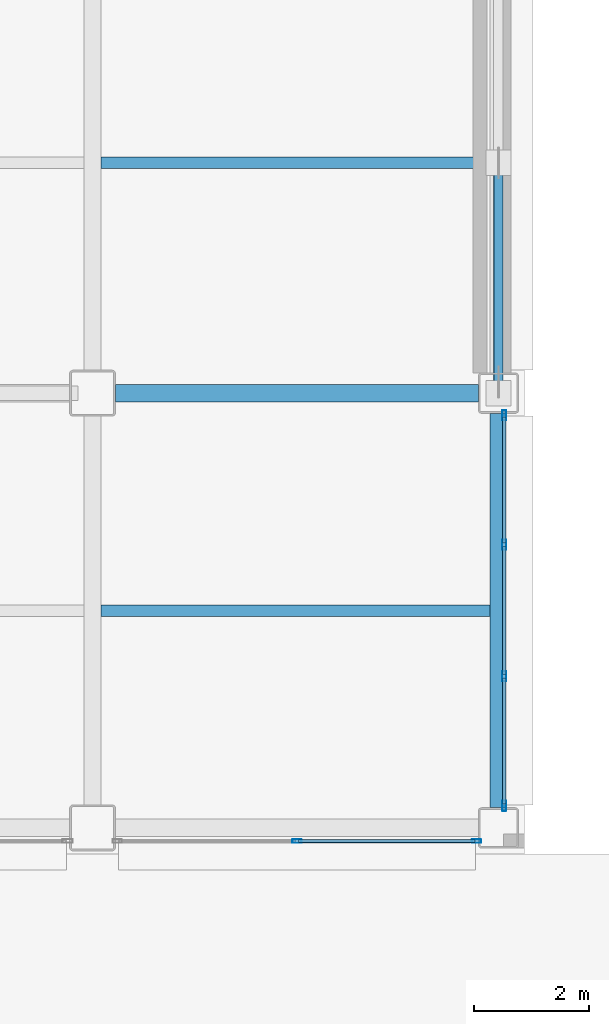
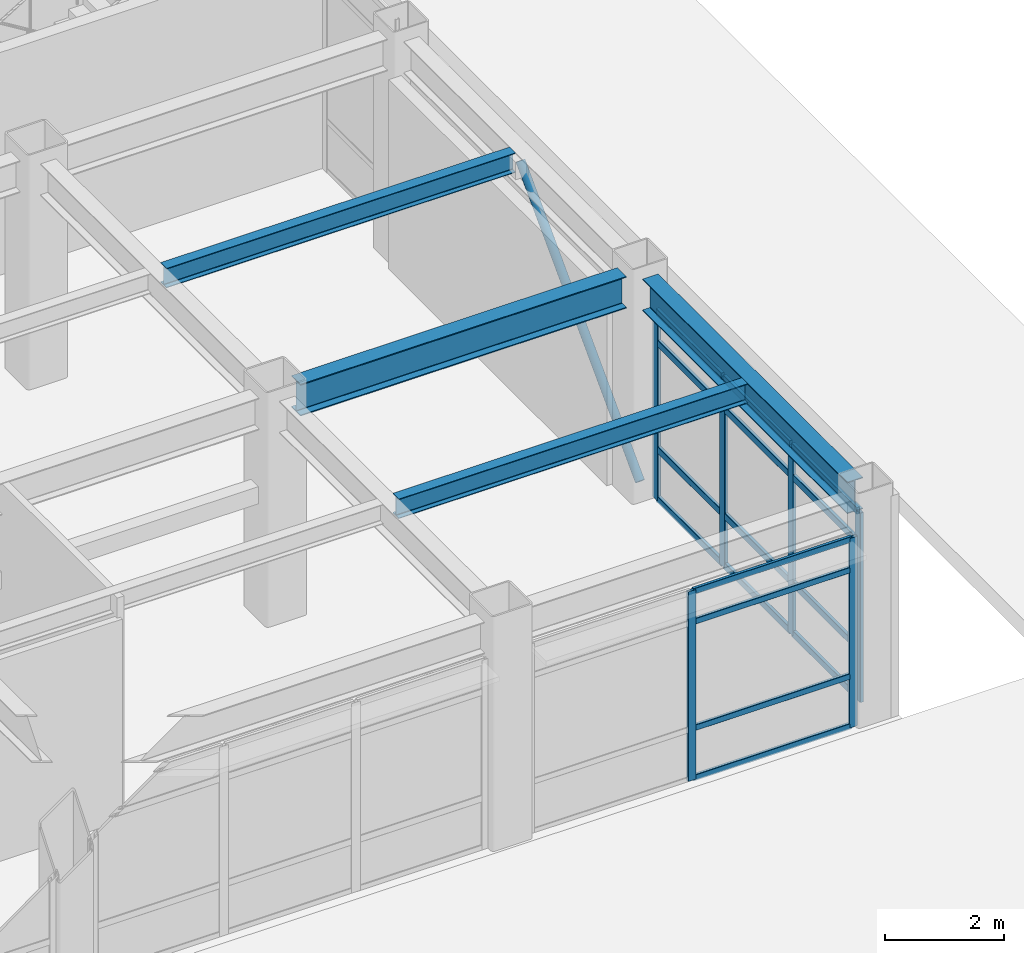
# One storey, part 98 of 172: 23 members, 4 beams, 2 elements without a shape of their own.
"""IFC4 building model written with IfcOpenShell, lengths in metres."""

from ifc_helpers import new_model, si_unit, direction, frame, origin, origin_2d, place, context, subcontext, project, spatial, hollow_rectangle, hollow_circle, i_section, extrude, material, layer, layer_set, material_profile, profile_set, type_object, element, aggregate, save


model = new_model("IFC4")

# Units and contexts
model_context = context("Model", 3, precision=1e-05, world=origin(), true_north=direction((0.0, 1.0)))
body_context = subcontext(model_context, "Body", "Model", "MODEL_VIEW")
ifc_project = project(units=[si_unit("LENGTHUNIT", "METRE"), si_unit("AREAUNIT", "SQUARE_METRE"), si_unit("VOLUMEUNIT", "CUBIC_METRE"), si_unit("PLANEANGLEUNIT", "RADIAN"), si_unit("MASSUNIT", "GRAM", prefix="KILO")], contexts=[model_context])

# Site, building, storey
site_placement = place(None, origin())
site = spatial("IfcSite", under=ifc_project, at=site_placement, CompositionType="ELEMENT")
building_placement = place(site_placement, origin())
building = spatial("IfcBuilding", under=site, at=building_placement, Name="Kazehara Bluff Congress Hotel", CompositionType="ELEMENT")
storey_placement = place(building_placement, frame((0.0, 0.0, 5.39990234375)))
storey = spatial("IfcBuildingStorey", under=building, at=storey_placement, Name="L01", CompositionType="ELEMENT", Elevation=5.39990234375)

# Member
ifc_material_1 = material(Name="Steel STK490", Category="steel")
ifc_material_profile_1 = material_profile(ifc_material_1, hollow_circle(Radius=0.08251953125, WallThickness=0.007080078125, at=origin_2d()))
ifc_profile_set_1 = profile_set([ifc_material_profile_1], Name="Steel STK490")
member_type_1 = type_object("IfcMemberType", Name="TP-BR-02", PredefinedType="BRACE", material=ifc_profile_set_1)
member_1_placement = place(storey_placement, frame((167.550048828125, 8.0, 0.150146484375), z_axis=(0.0, 0.696145836074, 0.717900393451), x_axis=(-1.0, 0.0, 0.0)))
element("IfcMember", 1, at=member_1_placement, inside=storey, type_object=member_type_1, Name="L01 chevron brace BR-02 1", PredefinedType="BRACE", context=body_context, shape_type="SweptSolid", body=[
    extrude(hollow_circle(Radius=0.08251953125, WallThickness=0.007080078125, at=origin_2d()), origin(), (0.0, 0.0, 1.0), 5.745849609375),
])

# Curtain wall, members
ifc_material_2 = material(Name="Anodised aluminium", Category="aluminium")
ifc_layer_1 = layer(ifc_material_2, 0.159912109375)
ifc_layer_set_1 = layer_set([ifc_layer_1], Name="Anodised aluminium")
curtain_wall_type_1 = type_object("IfcCurtainWallType", Name="TP-CW-112", PredefinedType="NOTDEFINED", material=ifc_layer_set_1)
curtain_wall_1_placement = place(storey_placement, origin())
curtain_wall_1 = element("IfcCurtainWall", 2, at=curtain_wall_1_placement, inside=storey, type_object=curtain_wall_type_1, Name="L01 curtain wall CW-112 CW-ENC-V5-L01-16405-22", PredefinedType="NOTDEFINED")
ifc_material_3 = material(Name="Anodised aluminium", Category="aluminium")
ifc_material_profile_2 = material_profile(ifc_material_3, hollow_rectangle(XDim=0.06005859375, YDim=0.159912109375, WallThickness=0.00390625, InnerFilletRadius=0.00390625, OuterFilletRadius=0.008056640625, at=origin_2d()))
ifc_profile_set_2 = profile_set([ifc_material_profile_2], Name="Anodised aluminium")
member_type_2 = type_object("IfcMemberType", Name="TP-CWM-01", PredefinedType="MULLION", material=ifc_profile_set_2)
member_2_placement = place(storey_placement, frame((167.169921875, 0.219970703125, 0.0), z_axis=(0.0, 0.0, 1.0), x_axis=(0.0, -1.0, 0.0)))
member_2 = element("IfcMember", 3, at=member_2_placement, type_object=member_type_2, Name="CW-112 mullion 1", PredefinedType="MULLION", context=body_context, shape_type="SweptSolid", body=[
    extrude(hollow_rectangle(XDim=0.06005859375, YDim=0.159912109375, WallThickness=0.00390625, InnerFilletRadius=0.00390625, OuterFilletRadius=0.008056640625, at=origin_2d()), origin(), (0.0, 0.0, 1.0), 3.875),
])
member_3_placement = place(storey_placement, frame((164.050048828125, 0.219970703125, 0.0), z_axis=(0.0, 0.0, 1.0), x_axis=(0.0, -1.0, 0.0)))
member_3 = element("IfcMember", 4, at=member_3_placement, type_object=member_type_2, Name="CW-112 mullion 2", PredefinedType="MULLION", context=body_context, shape_type="SweptSolid", body=[
    extrude(hollow_rectangle(XDim=0.06005859375, YDim=0.159912109375, WallThickness=0.00390625, InnerFilletRadius=0.00390625, OuterFilletRadius=0.008056640625, at=origin_2d()), origin(), (0.0, 0.0, 1.0), 3.875),
])

ifc_material_4 = material(Name="Anodised aluminium", Category="aluminium")
ifc_layer_2 = layer(ifc_material_4, 0.159912109375)
ifc_layer_set_2 = layer_set([ifc_layer_2], Name="Anodised aluminium")
curtain_wall_type_2 = type_object("IfcCurtainWallType", Name="TP-CW-83", PredefinedType="NOTDEFINED", material=ifc_layer_set_2)
curtain_wall_2_placement = place(storey_placement, origin())
curtain_wall_2 = element("IfcCurtainWall", 5, at=curtain_wall_2_placement, inside=storey, type_object=curtain_wall_type_2, Name="L01 curtain wall CW-83 CW-ENC-V5-L01-16765-423", PredefinedType="NOTDEFINED")
ifc_material_5 = material(Name="Anodised aluminium", Category="aluminium")
ifc_material_profile_3 = material_profile(ifc_material_5, hollow_rectangle(XDim=0.06494140625, YDim=0.179931640625, WallThickness=0.00390625, InnerFilletRadius=0.00390625, OuterFilletRadius=0.008056640625, at=origin_2d()))
ifc_profile_set_3 = profile_set([ifc_material_profile_3], Name="Anodised aluminium")
member_type_3 = type_object("IfcMemberType", Name="TP-CWM-02", PredefinedType="MULLION", material=ifc_profile_set_3)
member_4_placement = place(storey_placement, frame((167.64990234375, 7.617431640625, 0.0), z_axis=(0.0, 0.0, 1.0), x_axis=(1.0, 0.0, 0.0)))
member_4 = element("IfcMember", 6, at=member_4_placement, type_object=member_type_3, Name="CW-83 mullion 1", PredefinedType="MULLION", context=body_context, shape_type="SweptSolid", body=[
    extrude(hollow_rectangle(XDim=0.06494140625, YDim=0.179931640625, WallThickness=0.00390625, InnerFilletRadius=0.00390625, OuterFilletRadius=0.008056640625, at=origin_2d()), origin(), (0.0, 0.0, 1.0), 3.875),
])
member_5_placement = place(storey_placement, frame((167.64990234375, 5.36669921875, 0.0), z_axis=(0.0, 0.0, 1.0), x_axis=(1.0, 0.0, 0.0)))
member_5 = element("IfcMember", 7, at=member_5_placement, type_object=member_type_3, Name="CW-83 mullion 2", PredefinedType="MULLION", context=body_context, shape_type="SweptSolid", body=[
    extrude(hollow_rectangle(XDim=0.06494140625, YDim=0.179931640625, WallThickness=0.00390625, InnerFilletRadius=0.00390625, OuterFilletRadius=0.008056640625, at=origin_2d()), origin(), (0.0, 0.0, 1.0), 3.875),
])
member_6_placement = place(storey_placement, frame((167.64990234375, 3.083251953125, 0.0), z_axis=(0.0, 0.0, 1.0), x_axis=(1.0, 0.0, 0.0)))
member_6 = element("IfcMember", 8, at=member_6_placement, type_object=member_type_3, Name="CW-83 mullion 3", PredefinedType="MULLION", context=body_context, shape_type="SweptSolid", body=[
    extrude(hollow_rectangle(XDim=0.06494140625, YDim=0.179931640625, WallThickness=0.00390625, InnerFilletRadius=0.00390625, OuterFilletRadius=0.008056640625, at=origin_2d()), origin(), (0.0, 0.0, 1.0), 3.875),
])
member_7_placement = place(storey_placement, frame((167.64990234375, 0.83251953125, 0.0), z_axis=(0.0, 0.0, 1.0), x_axis=(1.0, 0.0, 0.0)))
member_7 = element("IfcMember", 9, at=member_7_placement, type_object=member_type_3, Name="CW-83 mullion 4", PredefinedType="MULLION", context=body_context, shape_type="SweptSolid", body=[
    extrude(hollow_rectangle(XDim=0.06494140625, YDim=0.179931640625, WallThickness=0.00390625, InnerFilletRadius=0.00390625, OuterFilletRadius=0.008056640625, at=origin_2d()), origin(), (0.0, 0.0, 1.0), 3.875),
])

# Member
ifc_material_6 = material(Name="Anodised aluminium", Category="aluminium")
ifc_material_profile_4 = material_profile(ifc_material_6, hollow_rectangle(XDim=0.06005859375, YDim=0.1201171875, WallThickness=0.00390625, InnerFilletRadius=0.00390625, OuterFilletRadius=0.008056640625, at=origin_2d()))
ifc_profile_set_4 = profile_set([ifc_material_profile_4], Name="Anodised aluminium")
member_type_4 = type_object("IfcMemberType", Name="TP-CWT-01", PredefinedType="USERDEFINED", material=ifc_profile_set_4)
member_8_placement = place(storey_placement, frame((167.139892578125, 0.219970703125, 0.030029296875), z_axis=(-1.0, 0.0, 0.0), x_axis=(0.0, -1.0, 0.0)))
member_8 = element("IfcMember", 10, at=member_8_placement, type_object=member_type_4, Name="CW-112 transom 1.1", ObjectType="TRANSOM", PredefinedType="USERDEFINED", context=body_context, shape_type="SweptSolid", body=[
    extrude(hollow_rectangle(XDim=0.06005859375, YDim=0.1201171875, WallThickness=0.00390625, InnerFilletRadius=0.00390625, OuterFilletRadius=0.008056640625, at=origin_2d()), origin(), (0.0, 0.0, 1.0), 3.059814453125),
])

member_9_placement = place(storey_placement, frame((167.139892578125, 0.219970703125, 1.050048828125), z_axis=(-1.0, 0.0, 0.0), x_axis=(0.0, -1.0, 0.0)))
member_9 = element("IfcMember", 11, at=member_9_placement, type_object=member_type_4, Name="CW-112 transom 1.2", ObjectType="TRANSOM", PredefinedType="USERDEFINED", context=body_context, shape_type="SweptSolid", body=[
    extrude(hollow_rectangle(XDim=0.06005859375, YDim=0.1201171875, WallThickness=0.00390625, InnerFilletRadius=0.00390625, OuterFilletRadius=0.008056640625, at=origin_2d()), origin(), (0.0, 0.0, 1.0), 3.059814453125),
])

member_10_placement = place(storey_placement, frame((167.139892578125, 0.219970703125, 3.22509765625), z_axis=(-1.0, 0.0, 0.0), x_axis=(0.0, -1.0, 0.0)))
member_10 = element("IfcMember", 12, at=member_10_placement, type_object=member_type_4, Name="CW-112 transom 1.3", ObjectType="TRANSOM", PredefinedType="USERDEFINED", context=body_context, shape_type="SweptSolid", body=[
    extrude(hollow_rectangle(XDim=0.06005859375, YDim=0.1201171875, WallThickness=0.00390625, InnerFilletRadius=0.00390625, OuterFilletRadius=0.008056640625, at=origin_2d()), origin(), (0.0, 0.0, 1.0), 3.059814453125),
])

member_11_placement = place(storey_placement, frame((167.139892578125, 0.219970703125, 3.84521484375), z_axis=(-1.0, 0.0, 0.0), x_axis=(0.0, -1.0, 0.0)))
member_11 = element("IfcMember", 13, at=member_11_placement, type_object=member_type_4, Name="CW-112 transom 1.4", ObjectType="TRANSOM", PredefinedType="USERDEFINED", context=body_context, shape_type="SweptSolid", body=[
    extrude(hollow_rectangle(XDim=0.06005859375, YDim=0.1201171875, WallThickness=0.00390625, InnerFilletRadius=0.00390625, OuterFilletRadius=0.008056640625, at=origin_2d()), origin(), (0.0, 0.0, 1.0), 3.059814453125),
])

aggregate(curtain_wall_1, [member_2, member_3, member_8, member_9, member_10, member_11])

ifc_material_7 = material(Name="Anodised aluminium", Category="aluminium")
ifc_material_profile_5 = material_profile(ifc_material_7, hollow_rectangle(XDim=0.06494140625, YDim=0.139892578125, WallThickness=0.00390625, InnerFilletRadius=0.00390625, OuterFilletRadius=0.008056640625, at=origin_2d()))
ifc_profile_set_5 = profile_set([ifc_material_profile_5], Name="Anodised aluminium")
member_type_5 = type_object("IfcMemberType", Name="TP-CWT-02", PredefinedType="USERDEFINED", material=ifc_profile_set_5)
member_12_placement = place(storey_placement, frame((167.64990234375, 7.5849609375, 0.03271484375), z_axis=(0.0, -1.0, 0.0), x_axis=(1.0, 0.0, 0.0)))
member_12 = element("IfcMember", 14, at=member_12_placement, type_object=member_type_5, Name="CW-83 transom 1.1", ObjectType="TRANSOM", PredefinedType="USERDEFINED", context=body_context, shape_type="SweptSolid", body=[
    extrude(hollow_rectangle(XDim=0.06494140625, YDim=0.139892578125, WallThickness=0.00390625, InnerFilletRadius=0.00390625, OuterFilletRadius=0.008056640625, at=origin_2d()), origin(), (0.0, 0.0, 1.0), 2.185791015625),
])

member_13_placement = place(storey_placement, frame((167.64990234375, 7.5849609375, 1.050048828125), z_axis=(0.0, -1.0, 0.0), x_axis=(1.0, 0.0, 0.0)))
member_13 = element("IfcMember", 15, at=member_13_placement, type_object=member_type_5, Name="CW-83 transom 1.2", ObjectType="TRANSOM", PredefinedType="USERDEFINED", context=body_context, shape_type="SweptSolid", body=[
    extrude(hollow_rectangle(XDim=0.06494140625, YDim=0.139892578125, WallThickness=0.00390625, InnerFilletRadius=0.00390625, OuterFilletRadius=0.008056640625, at=origin_2d()), origin(), (0.0, 0.0, 1.0), 2.185791015625),
])

member_14_placement = place(storey_placement, frame((167.64990234375, 7.5849609375, 3.22509765625), z_axis=(0.0, -1.0, 0.0), x_axis=(1.0, 0.0, 0.0)))
member_14 = element("IfcMember", 16, at=member_14_placement, type_object=member_type_5, Name="CW-83 transom 1.3", ObjectType="TRANSOM", PredefinedType="USERDEFINED", context=body_context, shape_type="SweptSolid", body=[
    extrude(hollow_rectangle(XDim=0.06494140625, YDim=0.139892578125, WallThickness=0.00390625, InnerFilletRadius=0.00390625, OuterFilletRadius=0.008056640625, at=origin_2d()), origin(), (0.0, 0.0, 1.0), 2.185791015625),
])

member_15_placement = place(storey_placement, frame((167.64990234375, 7.5849609375, 3.842529296875), z_axis=(0.0, -1.0, 0.0), x_axis=(1.0, 0.0, 0.0)))
member_15 = element("IfcMember", 17, at=member_15_placement, type_object=member_type_5, Name="CW-83 transom 1.4", ObjectType="TRANSOM", PredefinedType="USERDEFINED", context=body_context, shape_type="SweptSolid", body=[
    extrude(hollow_rectangle(XDim=0.06494140625, YDim=0.139892578125, WallThickness=0.00390625, InnerFilletRadius=0.00390625, OuterFilletRadius=0.008056640625, at=origin_2d()), origin(), (0.0, 0.0, 1.0), 2.185791015625),
])

member_16_placement = place(storey_placement, frame((167.64990234375, 5.334228515625, 0.03271484375), z_axis=(0.0, -1.0, 0.0), x_axis=(1.0, 0.0, 0.0)))
member_16 = element("IfcMember", 18, at=member_16_placement, type_object=member_type_5, Name="CW-83 transom 2.1", ObjectType="TRANSOM", PredefinedType="USERDEFINED", context=body_context, shape_type="SweptSolid", body=[
    extrude(hollow_rectangle(XDim=0.06494140625, YDim=0.139892578125, WallThickness=0.00390625, InnerFilletRadius=0.00390625, OuterFilletRadius=0.008056640625, at=origin_2d()), origin(), (0.0, 0.0, 1.0), 2.218505859375),
])

member_17_placement = place(storey_placement, frame((167.64990234375, 5.334228515625, 1.050048828125), z_axis=(0.0, -1.0, 0.0), x_axis=(1.0, 0.0, 0.0)))
member_17 = element("IfcMember", 19, at=member_17_placement, type_object=member_type_5, Name="CW-83 transom 2.2", ObjectType="TRANSOM", PredefinedType="USERDEFINED", context=body_context, shape_type="SweptSolid", body=[
    extrude(hollow_rectangle(XDim=0.06494140625, YDim=0.139892578125, WallThickness=0.00390625, InnerFilletRadius=0.00390625, OuterFilletRadius=0.008056640625, at=origin_2d()), origin(), (0.0, 0.0, 1.0), 2.218505859375),
])

member_18_placement = place(storey_placement, frame((167.64990234375, 5.334228515625, 3.22509765625), z_axis=(0.0, -1.0, 0.0), x_axis=(1.0, 0.0, 0.0)))
member_18 = element("IfcMember", 20, at=member_18_placement, type_object=member_type_5, Name="CW-83 transom 2.3", ObjectType="TRANSOM", PredefinedType="USERDEFINED", context=body_context, shape_type="SweptSolid", body=[
    extrude(hollow_rectangle(XDim=0.06494140625, YDim=0.139892578125, WallThickness=0.00390625, InnerFilletRadius=0.00390625, OuterFilletRadius=0.008056640625, at=origin_2d()), origin(), (0.0, 0.0, 1.0), 2.218505859375),
])

member_19_placement = place(storey_placement, frame((167.64990234375, 5.334228515625, 3.842529296875), z_axis=(0.0, -1.0, 0.0), x_axis=(1.0, 0.0, 0.0)))
member_19 = element("IfcMember", 21, at=member_19_placement, type_object=member_type_5, Name="CW-83 transom 2.4", ObjectType="TRANSOM", PredefinedType="USERDEFINED", context=body_context, shape_type="SweptSolid", body=[
    extrude(hollow_rectangle(XDim=0.06494140625, YDim=0.139892578125, WallThickness=0.00390625, InnerFilletRadius=0.00390625, OuterFilletRadius=0.008056640625, at=origin_2d()), origin(), (0.0, 0.0, 1.0), 2.218505859375),
])

member_20_placement = place(storey_placement, frame((167.64990234375, 3.05078125, 0.03271484375), z_axis=(0.0, -1.0, 0.0), x_axis=(1.0, 0.0, 0.0)))
member_20 = element("IfcMember", 22, at=member_20_placement, type_object=member_type_5, Name="CW-83 transom 3.1", ObjectType="TRANSOM", PredefinedType="USERDEFINED", context=body_context, shape_type="SweptSolid", body=[
    extrude(hollow_rectangle(XDim=0.06494140625, YDim=0.139892578125, WallThickness=0.00390625, InnerFilletRadius=0.00390625, OuterFilletRadius=0.008056640625, at=origin_2d()), origin(), (0.0, 0.0, 1.0), 2.185791015625),
])

member_21_placement = place(storey_placement, frame((167.64990234375, 3.05078125, 1.050048828125), z_axis=(0.0, -1.0, 0.0), x_axis=(1.0, 0.0, 0.0)))
member_21 = element("IfcMember", 23, at=member_21_placement, type_object=member_type_5, Name="CW-83 transom 3.2", ObjectType="TRANSOM", PredefinedType="USERDEFINED", context=body_context, shape_type="SweptSolid", body=[
    extrude(hollow_rectangle(XDim=0.06494140625, YDim=0.139892578125, WallThickness=0.00390625, InnerFilletRadius=0.00390625, OuterFilletRadius=0.008056640625, at=origin_2d()), origin(), (0.0, 0.0, 1.0), 2.185791015625),
])

member_22_placement = place(storey_placement, frame((167.64990234375, 3.05078125, 3.22509765625), z_axis=(0.0, -1.0, 0.0), x_axis=(1.0, 0.0, 0.0)))
member_22 = element("IfcMember", 24, at=member_22_placement, type_object=member_type_5, Name="CW-83 transom 3.3", ObjectType="TRANSOM", PredefinedType="USERDEFINED", context=body_context, shape_type="SweptSolid", body=[
    extrude(hollow_rectangle(XDim=0.06494140625, YDim=0.139892578125, WallThickness=0.00390625, InnerFilletRadius=0.00390625, OuterFilletRadius=0.008056640625, at=origin_2d()), origin(), (0.0, 0.0, 1.0), 2.185791015625),
])

member_23_placement = place(storey_placement, frame((167.64990234375, 3.05078125, 3.842529296875), z_axis=(0.0, -1.0, 0.0), x_axis=(1.0, 0.0, 0.0)))
member_23 = element("IfcMember", 25, at=member_23_placement, type_object=member_type_5, Name="CW-83 transom 3.4", ObjectType="TRANSOM", PredefinedType="USERDEFINED", context=body_context, shape_type="SweptSolid", body=[
    extrude(hollow_rectangle(XDim=0.06494140625, YDim=0.139892578125, WallThickness=0.00390625, InnerFilletRadius=0.00390625, OuterFilletRadius=0.008056640625, at=origin_2d()), origin(), (0.0, 0.0, 1.0), 2.185791015625),
])

aggregate(curtain_wall_2, [member_4, member_5, member_6, member_7, member_12, member_13, member_14, member_15, member_16, member_17, member_18, member_19, member_20, member_21, member_22, member_23])

# Beams
ifc_material_8 = material(Name="Steel SN490B", Category="steel")
ifc_material_profile_6 = material_profile(ifc_material_8, i_section(OverallWidth=0.300048828125, OverallDepth=0.64990234375, WebThickness=0.011962890625, FlangeThickness=0.02001953125, FilletRadius=0.012939453125, at=origin_2d()))
ifc_profile_set_6 = profile_set([ifc_material_profile_6], Name="Steel SN490B")
beam_type_1 = type_object("IfcBeamType", Name="TP-G-03", PredefinedType="BEAM", material=ifc_profile_set_6)
beam_1_placement = place(storey_placement, frame((167.550048828125, 0.800048828125, 4.22509765625), z_axis=(0.0, 1.0, 0.0), x_axis=(-1.0, 0.0, 0.0)))
element("IfcBeam", 26, at=beam_1_placement, inside=storey, type_object=beam_type_1, Name="L01 girder G-03 260", PredefinedType="BEAM", context=body_context, shape_type="SweptSolid", body=[
    extrude(i_section(OverallWidth=0.300048828125, OverallDepth=0.64990234375, WebThickness=0.011962890625, FlangeThickness=0.02001953125, FilletRadius=0.012939453125, at=origin_2d()), origin(), (0.0, 0.0, 1.0), 6.849853515625),
])
beam_2_placement = place(storey_placement, frame((160.89990234375, 8.0, 4.22509765625), z_axis=(1.0, 0.0, 0.0), x_axis=(0.0, 1.0, 0.0)))
element("IfcBeam", 27, at=beam_2_placement, inside=storey, type_object=beam_type_1, Name="L01 girder G-03 276", PredefinedType="BEAM", context=body_context, shape_type="SweptSolid", body=[
    extrude(i_section(OverallWidth=0.300048828125, OverallDepth=0.64990234375, WebThickness=0.011962890625, FlangeThickness=0.02001953125, FilletRadius=0.012939453125, at=origin_2d()), origin(), (0.0, 0.0, 1.0), 6.300048828125),
])
ifc_material_9 = material(Name="Steel SN400B", Category="steel")
ifc_material_profile_7 = material_profile(ifc_material_9, i_section(OverallWidth=0.199951171875, OverallDepth=0.39990234375, WebThickness=0.008056640625, FlangeThickness=0.012939453125, FilletRadius=0.012939453125, at=origin_2d()))
ifc_profile_set_7 = profile_set([ifc_material_profile_7], Name="Steel SN400B")
beam_type_2 = type_object("IfcBeamType", Name="TP-J-03", PredefinedType="JOIST", material=ifc_profile_set_7)
for number, where, z_axis, x_axis, name in (
    (28, (160.64990234375, 4.22509765625, 4.35009765625), (1.0, 0.0, 0.0), (0.0, 1.0, 0.0), "L01 secondary joist J-03 71"),
    (29, (160.64990234375, 12.0, 4.35009765625), (1.0, 0.0, 0.0), (0.0, 1.0, 0.0), "L01 secondary joist J-03 72"),
):
    element("IfcBeam", number, at=place(storey_placement, frame(where, z_axis=z_axis, x_axis=x_axis)), inside=storey, type_object=beam_type_2, Name=name, PredefinedType="JOIST", context=body_context, shape_type="SweptSolid", body=[
        extrude(i_section(OverallWidth=0.199951171875, OverallDepth=0.39990234375, WebThickness=0.008056640625, FlangeThickness=0.012939453125, FilletRadius=0.012939453125, at=origin_2d()), origin(), (0.0, 0.0, 1.0), 6.75),
    ])

save(model, "model.ifc")
